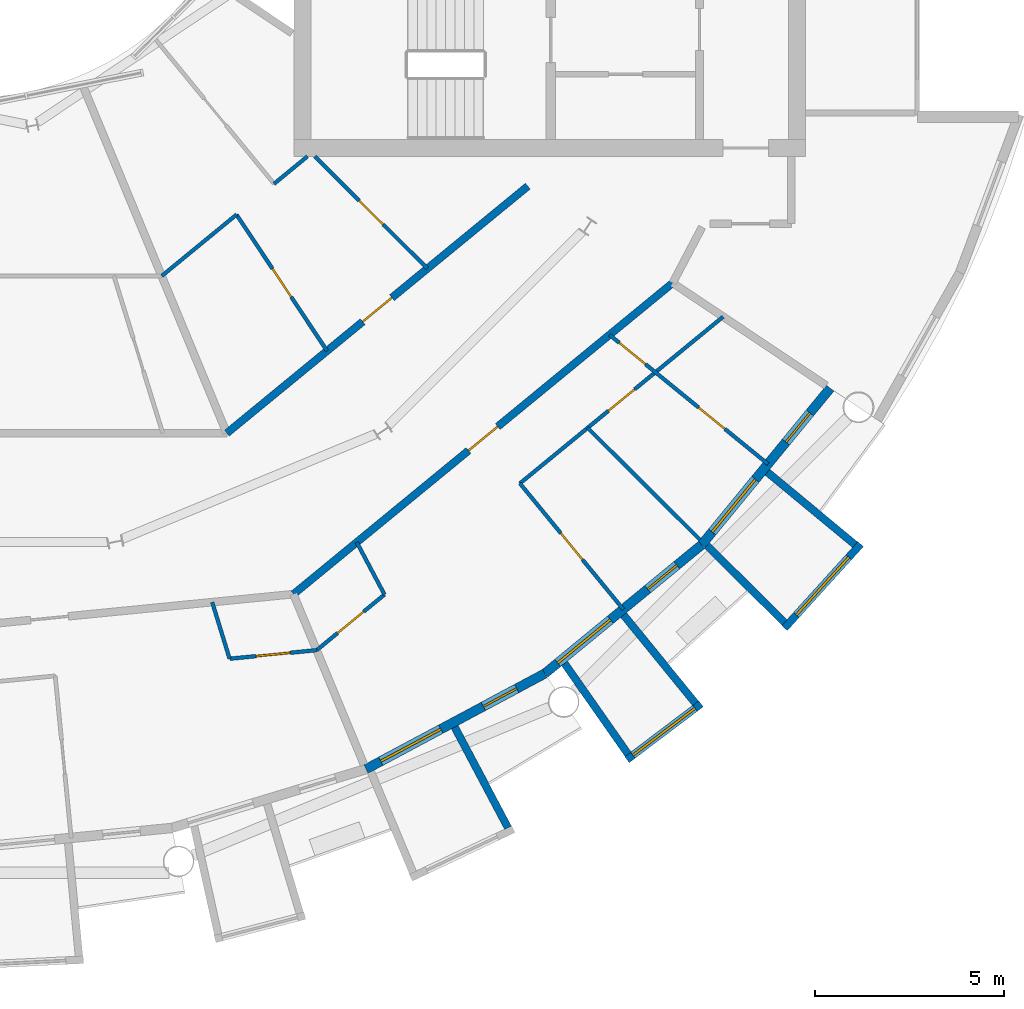
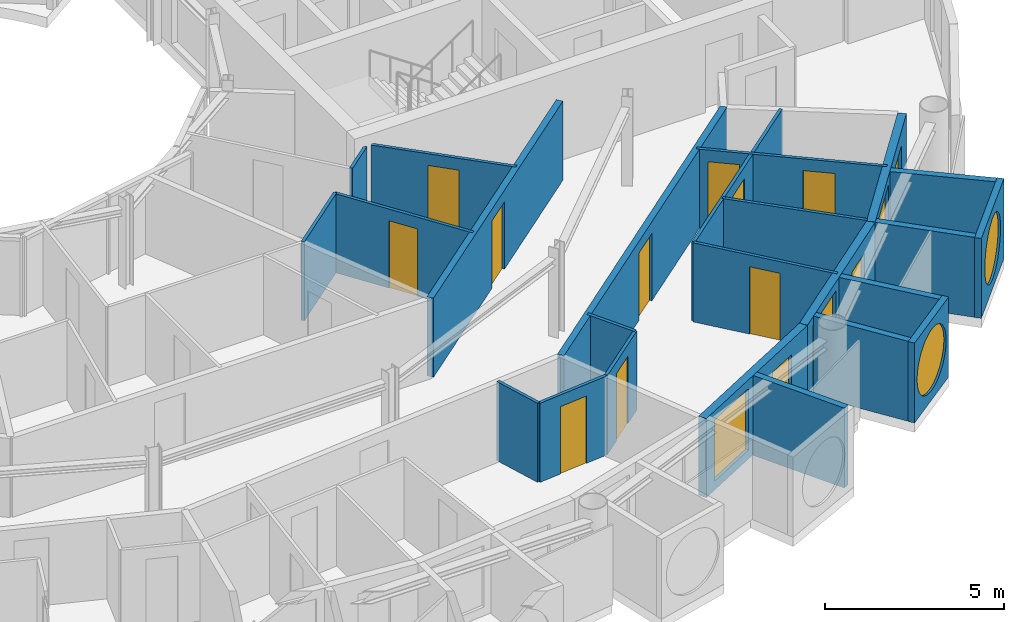
# One storey, part 18 of 29: 24 walls, 13 doors, 5 windows, 18 openings.
"""IFC4 building model written with IfcOpenShell, lengths in metres."""

from ifc_helpers import new_model, si_unit, direction, frame, frame_2d, origin, place, context, subcontext, project, spatial, rectangle, circle, extrude, material, layer, layer_set, type_object, element, fill, save


model = new_model("IFC4")

# Units and contexts
model_context = context("Model", 3, precision=1e-05, world=origin(), true_north=direction((0.0, 1.0)))
body_context = subcontext(model_context, "Body", "Model", "MODEL_VIEW")
ifc_project = project(units=[si_unit("LENGTHUNIT", "METRE"), si_unit("AREAUNIT", "SQUARE_METRE"), si_unit("VOLUMEUNIT", "CUBIC_METRE"), si_unit("PLANEANGLEUNIT", "RADIAN"), si_unit("MASSUNIT", "GRAM", prefix="KILO")], contexts=[model_context])

# Site, building, storey
site_placement = place(None, origin())
site = spatial("IfcSite", under=ifc_project, at=site_placement, CompositionType="ELEMENT")
building_placement = place(site_placement, origin())
building = spatial("IfcBuilding", under=site, at=building_placement, Name="Maasbend Ring Residences", CompositionType="ELEMENT")
storey_placement = place(building_placement, frame((0.0, 0.0, 202.39990234375)))
storey = spatial("IfcBuildingStorey", under=building, at=storey_placement, Name="L58", CompositionType="ELEMENT", Elevation=202.39990234375)

# Wall, opening, door
ifc_material_1 = material(Name="Concrete C30/37", Category="concrete")
ifc_layer_1 = layer(ifc_material_1, 0.199951171875)
ifc_layer_set_1 = layer_set([ifc_layer_1], Name="Concrete C30/37")
wall_type_1 = type_object("IfcWallType", Name="CORRIDOR WALL 200 CONCRETE", PredefinedType="PARTITIONING", material=ifc_layer_set_1)
wall_1_placement = place(storey_placement, frame((8.533935546875, -20.60302734375, 0.0), z_axis=(0.0, 0.0, 1.0), x_axis=(0.772983503654, 0.634426121056, 0.0)))
wall_1 = element("IfcWall", 1, at=wall_1_placement, inside=storey, type_object=wall_type_1, Name="U-L58-w016", PredefinedType="PARTITIONING", context=body_context, shape_type="SweptSolid", body=[
    extrude(rectangle(XDim=12.947265625, YDim=0.199951171875, at=frame_2d((6.4736328125, 0.0))), origin(), (0.0, 0.0, 1.0), 2.7001953125),
])
opening_1_placement = place(wall_1_placement, frame((5.97412109375, 0.0, 0.0)))
opening_1 = element("IfcOpeningElement", 2, at=opening_1_placement, cuts=wall_1, Name="Opening D-5849", PredefinedType="OPENING", context=body_context, shape_type="SweptSolid", body=[
    extrude(rectangle(XDim=1.0, YDim=2.300048828125, at=frame_2d((0.5, 1.14990234375))), frame((0.0, 0.10986328125, 0.0), z_axis=(0.0, -1.0, 0.0), x_axis=(1.0, 0.0, 0.0)), (0.0, 0.0, 1.0), 0.219970703125),
])
ifc_material_2 = material(Name="Timber, fire-rated, painted", Category="wood")
door_type_1 = type_object("IfcDoorType", Name="FLAT ENTRANCE DOOR 1000 X 2300 FIRE-RATED", OperationType="NOTDEFINED", PredefinedType="DOOR", material=ifc_material_2)
door_1_placement = place(opening_1_placement, origin())
door_1 = element("IfcDoor", 3, at=door_1_placement, inside=storey, type_object=door_type_1, Name="D-5849", OperationType="SINGLE_SWING_LEFT", OverallHeight=2.300048828125, OverallWidth=1.0, PredefinedType="DOOR", context=body_context, shape_type="SweptSolid", body=[
    extrude(rectangle(XDim=1.0, YDim=2.300048828125, at=frame_2d((0.5, 1.14990234375))), frame((0.0, 0.02490234375, 0.0), z_axis=(0.0, -1.0, 0.0), x_axis=(1.0, 0.0, 0.0)), (0.0, 0.0, 1.0), 0.050048828125),
])
fill(opening_1, door_1)

wall_2_placement = place(storey_placement, frame((6.77294921875, -16.35302734375, 0.0), z_axis=(0.0, 0.0, 1.0), x_axis=(0.773034536097, 0.634363938131, 0.0)))
wall_2 = element("IfcWall", 4, at=wall_2_placement, inside=storey, type_object=wall_type_1, Name="U-L58-w018", PredefinedType="PARTITIONING", context=body_context, shape_type="SweptSolid", body=[
    extrude(rectangle(XDim=10.276611328125, YDim=0.199951171875, at=frame_2d((5.13818359375, 0.0))), origin(), (0.0, 0.0, 1.0), 2.7001953125),
])
opening_2_placement = place(wall_2_placement, frame((4.637939453125, 0.0, 0.0)))
opening_2 = element("IfcOpeningElement", 5, at=opening_2_placement, cuts=wall_2, Name="Opening D-5864", PredefinedType="OPENING", context=body_context, shape_type="SweptSolid", body=[
    extrude(rectangle(XDim=1.0, YDim=2.300048828125, at=frame_2d((0.5, 1.14990234375))), frame((0.0, 0.10986328125, 0.0), z_axis=(0.0, -1.0, 0.0), x_axis=(1.0, 0.0, 0.0)), (0.0, 0.0, 1.0), 0.219970703125),
])
door_2_placement = place(opening_2_placement, origin())
door_2 = element("IfcDoor", 6, at=door_2_placement, inside=storey, type_object=door_type_1, Name="D-5864", OperationType="SINGLE_SWING_RIGHT", OverallHeight=2.300048828125, OverallWidth=1.0, PredefinedType="DOOR", context=body_context, shape_type="SweptSolid", body=[
    extrude(rectangle(XDim=1.0, YDim=2.300048828125, at=frame_2d((0.5, 1.14990234375))), frame((0.0, 0.02490234375, 0.0), z_axis=(0.0, -1.0, 0.0), x_axis=(1.0, 0.0, 0.0)), (0.0, 0.0, 1.0), 0.050048828125),
])
fill(opening_2, door_2)

# Wall
ifc_material_3 = material(Name="Pale anodised aluminium panel", Category="aluminium")
ifc_layer_2 = layer(ifc_material_3, 0.199951171875)
ifc_layer_set_2 = layer_set([ifc_layer_2], Name="EW-BOX")
wall_type_2 = type_object("IfcWallType", Name="EW-BOX", PredefinedType="SOLIDWALL", material=ifc_layer_set_2)
wall_3_placement = place(storey_placement, frame((12.787109375, -24.113037109375, -0.02978515625), z_axis=(0.0, 0.0, 1.0), x_axis=(0.468365282436, -0.883534924159, 0.0)))
element("IfcWall", 7, at=wall_3_placement, inside=storey, type_object=wall_type_2, Name="Box side wall S15 right", PredefinedType="SOLIDWALL", context=body_context, shape_type="SweptSolid", body=[
    extrude(rectangle(XDim=3.006103515625, YDim=0.199951171875, at=frame_2d((1.5029296875, 0.0))), origin(), (0.0, 0.0, 1.0), 2.72998046875),
])

# Wall, opening, window
wall_4_placement = place(storey_placement, frame((17.3369140625, -24.971923828125, -0.02978515625), z_axis=(0.0, 0.0, 1.0), x_axis=(0.797887588059, 0.602806268067, 0.0)))
wall_4 = element("IfcWall", 8, at=wall_4_placement, inside=storey, type_object=wall_type_2, Name="Box front S17", PredefinedType="SOLIDWALL", context=body_context, shape_type="SweptSolid", body=[
    extrude(rectangle(XDim=2.446533203125, YDim=0.199951171875, at=frame_2d((1.22314453125, 0.0))), origin(), (0.0, 0.0, 1.0), 2.72998046875),
])
opening_3_placement = place(wall_4_placement, frame((0.182861328125, 0.0, 0.330078125)))
opening_3 = element("IfcOpeningElement", 9, at=opening_3_placement, cuts=wall_4, Name="Opening W-RD", PredefinedType="OPENING", context=body_context, shape_type="SweptSolid", body=[
    extrude(circle(Radius=1.0400390625, at=frame_2d((1.0400390625, 1.0400390625))), frame((0.0, 0.10986328125, 0.0), z_axis=(0.0, -1.0, 0.0), x_axis=(1.0, 0.0, 0.0)), (0.0, 0.0, 1.0), 0.219970703125),
])
ifc_material_4 = material(Name="Aluminium and clear glass", Category="aluminium")
window_type_1 = type_object("IfcWindowType", Name="W-RD", PartitioningType="SINGLE_PANEL", PredefinedType="WINDOW", material=ifc_material_4)
window_1_placement = place(opening_3_placement, origin())
window_1 = element("IfcWindow", 10, at=window_1_placement, inside=storey, type_object=window_type_1, Name="Round window S17", OverallHeight=2.080078125, OverallWidth=2.080078125, PartitioningType="SINGLE_PANEL", PredefinedType="WINDOW", context=body_context, shape_type="SweptSolid", body=[
    extrude(circle(Radius=1.0400390625, at=frame_2d((1.0400390625, 1.0400390625))), frame((0.0, 0.030029296875, 0.0), z_axis=(0.0, -1.0, 0.0), x_axis=(1.0, 0.0, 0.0)), (0.0, 0.0, 1.0), 0.06005859375),
])
fill(opening_3, window_1)

# Walls
wall_5_placement = place(storey_placement, frame((15.68798828125, -22.43310546875, -0.02978515625), z_axis=(0.0, 0.0, 1.0), x_axis=(0.573260687834, -0.819373043115, 0.0)))
element("IfcWall", 11, at=wall_5_placement, inside=storey, type_object=wall_type_2, Name="Box side wall S17 left", PredefinedType="SOLIDWALL", context=body_context, shape_type="SweptSolid", body=[
    extrude(rectangle(XDim=2.92529296875, YDim=0.199951171875, at=frame_2d((1.462646484375, 0.0))), origin(), (0.0, 0.0, 1.0), 2.72998046875),
])
wall_6_placement = place(storey_placement, frame((17.24609375, -21.155029296875, -0.02978515625), z_axis=(0.0, 0.0, 1.0), x_axis=(0.631741648902, -0.775179004516, 0.0)))
element("IfcWall", 12, at=wall_6_placement, inside=storey, type_object=wall_type_2, Name="Box side wall S17 right", PredefinedType="SOLIDWALL", context=body_context, shape_type="SweptSolid", body=[
    extrude(rectangle(XDim=3.005859375, YDim=0.199951171875, at=frame_2d((1.5029296875, 0.0))), origin(), (0.0, 0.0, 1.0), 2.72998046875),
])

# Wall, opening, window
wall_7_placement = place(storey_placement, frame((21.492919921875, -21.5, -0.02978515625), z_axis=(0.0, 0.0, 1.0), x_axis=(0.671506829416, 0.740998365753, 0.0)))
wall_7 = element("IfcWall", 13, at=wall_7_placement, inside=storey, type_object=wall_type_2, Name="Box front S19", PredefinedType="SOLIDWALL", context=body_context, shape_type="SweptSolid", body=[
    extrude(rectangle(XDim=2.9931640625, YDim=0.199951171875, at=frame_2d((1.49658203125, 0.0))), origin(), (0.0, 0.0, 1.0), 2.72998046875),
])
opening_4_placement = place(wall_7_placement, frame((0.45654296875, 0.0, 0.330078125)))
opening_4 = element("IfcOpeningElement", 14, at=opening_4_placement, cuts=wall_7, Name="Opening W-RD", PredefinedType="OPENING", context=body_context, shape_type="SweptSolid", body=[
    extrude(circle(Radius=1.0400390625, at=frame_2d((1.0400390625, 1.0400390625))), frame((0.0, 0.10986328125, 0.0), z_axis=(0.0, -1.0, 0.0), x_axis=(1.0, 0.0, 0.0)), (0.0, 0.0, 1.0), 0.219970703125),
])
window_2_placement = place(opening_4_placement, origin())
window_2 = element("IfcWindow", 15, at=window_2_placement, inside=storey, type_object=window_type_1, Name="Round window S19", OverallHeight=2.080078125, OverallWidth=2.080078125, PartitioningType="SINGLE_PANEL", PredefinedType="WINDOW", context=body_context, shape_type="SweptSolid", body=[
    extrude(circle(Radius=1.0400390625, at=frame_2d((1.0400390625, 1.0400390625))), frame((0.0, 0.030029296875, 0.0), z_axis=(0.0, -1.0, 0.0), x_axis=(1.0, 0.0, 0.0)), (0.0, 0.0, 1.0), 0.06005859375),
])
fill(opening_4, window_2)

# Walls
wall_8_placement = place(storey_placement, frame((19.449951171875, -19.322998046875, -0.02978515625), z_axis=(0.0, 0.0, 1.0), x_axis=(0.709727076896, -0.704476739375, 0.0)))
element("IfcWall", 16, at=wall_8_placement, inside=storey, type_object=wall_type_2, Name="Box side wall S19 left", PredefinedType="SOLIDWALL", context=body_context, shape_type="SweptSolid", body=[
    extrude(rectangle(XDim=2.883056640625, YDim=0.199951171875, at=frame_2d((1.44140625, 0.0))), origin(), (0.0, 0.0, 1.0), 2.72998046875),
])
wall_9_placement = place(storey_placement, frame((21.041015625, -17.384033203125, -0.02978515625), z_axis=(0.0, 0.0, 1.0), x_axis=(0.770784861449, -0.63709551667, 0.0)))
element("IfcWall", 17, at=wall_9_placement, inside=storey, type_object=wall_type_2, Name="Box side wall S19 right", PredefinedType="SOLIDWALL", context=body_context, shape_type="SweptSolid", body=[
    extrude(rectangle(XDim=3.005859375, YDim=0.199951171875, at=frame_2d((1.5029296875, 0.0))), origin(), (0.0, 0.0, 1.0), 2.72998046875),
])

# Wall, openings, door, window
ifc_material_5 = material(Name="Aluminium clad insulated panel", Category="aluminium")
ifc_layer_3 = layer(ifc_material_5, 0.25)
ifc_layer_set_3 = layer_set([ifc_layer_3], Name="EW-GL")
wall_type_3 = type_object("IfcWallType", Name="EW-GL", PredefinedType="SOLIDWALL", material=ifc_layer_set_3)
wall_10_placement = place(storey_placement, frame((10.447021484375, -25.221923828125, 0.0), z_axis=(0.0, 0.0, 1.0), x_axis=(0.881915646801, 0.471407246368, 0.0)))
wall_10 = element("IfcWall", 18, at=wall_10_placement, inside=storey, type_object=wall_type_3, Name="External wall S08", PredefinedType="SOLIDWALL", context=body_context, shape_type="SweptSolid", body=[
    extrude(rectangle(XDim=5.35205078125, YDim=0.25, at=frame_2d((2.676025390625, 0.0))), origin(), (0.0, 0.0, 1.0), 2.7001953125),
])
opening_5_placement = place(wall_10_placement, frame((0.441162109375, 0.0, 0.300048828125)))
opening_5 = element("IfcOpeningElement", 19, at=opening_5_placement, cuts=wall_10, Name="Opening W-BX", PredefinedType="OPENING", context=body_context, shape_type="SweptSolid", body=[
    extrude(rectangle(XDim=1.800048828125, YDim=2.10009765625, at=frame_2d((0.89990234375, 1.050048828125))), frame((0.0, 0.135009765625, 0.0), z_axis=(0.0, -1.0, 0.0), x_axis=(1.0, 0.0, 0.0)), (0.0, 0.0, 1.0), 0.27001953125),
])
opening_6_placement = place(wall_10_placement, frame((3.510498046875, 0.0, 0.0)))
opening_6 = element("IfcOpeningElement", 20, at=opening_6_placement, cuts=wall_10, Name="Opening D-LG", PredefinedType="OPENING", context=body_context, shape_type="SweptSolid", body=[
    extrude(rectangle(XDim=1.0, YDim=2.199951171875, at=frame_2d((0.5, 1.10009765625))), frame((0.0, 0.135009765625, 0.0), z_axis=(0.0, -1.0, 0.0), x_axis=(1.0, 0.0, 0.0)), (0.0, 0.0, 1.0), 0.27001953125),
])
ifc_material_6 = material(Name="Aluminium and clear glass", Category="aluminium")
door_type_2 = type_object("IfcDoorType", Name="D-LG", OperationType="SINGLE_SWING_LEFT", PredefinedType="DOOR", material=ifc_material_6)
door_3_placement = place(opening_6_placement, origin())
door_3 = element("IfcDoor", 21, at=door_3_placement, inside=storey, type_object=door_type_2, Name="Loggia door S16", OperationType="SINGLE_SWING_LEFT", OverallHeight=2.199951171875, OverallWidth=1.0, PredefinedType="DOOR", context=body_context, shape_type="SweptSolid", body=[
    extrude(rectangle(XDim=1.0, YDim=2.199951171875, at=frame_2d((0.5, 1.10009765625))), frame((0.0, 0.02490234375, 0.0), z_axis=(0.0, -1.0, 0.0), x_axis=(1.0, 0.0, 0.0)), (0.0, 0.0, 1.0), 0.050048828125),
])
fill(opening_6, door_3)
ifc_material_7 = material(Name="Aluminium and clear glass", Category="aluminium")
window_type_2 = type_object("IfcWindowType", Name="W-BX", PartitioningType="DOUBLE_PANEL_VERTICAL", PredefinedType="WINDOW", material=ifc_material_7)
window_3_placement = place(opening_5_placement, origin())
window_3 = element("IfcWindow", 22, at=window_3_placement, inside=storey, type_object=window_type_2, Name="Window S15 room to box", OverallHeight=2.10009765625, OverallWidth=1.800048828125, PartitioningType="SINGLE_PANEL", PredefinedType="WINDOW", context=body_context, shape_type="SweptSolid", body=[
    extrude(rectangle(XDim=1.800048828125, YDim=2.10009765625, at=frame_2d((0.89990234375, 1.050048828125))), frame((0.0, 0.030029296875, 0.0), z_axis=(0.0, -1.0, 0.0), x_axis=(1.0, 0.0, 0.0)), (0.0, 0.0, 1.0), 0.06005859375),
])
fill(opening_5, window_3)

wall_11_placement = place(storey_placement, frame((15.1669921875, -22.698974609375, 0.0), z_axis=(0.0, 0.0, 1.0), x_axis=(0.773019449054, 0.634382322723, 0.0)))
wall_11 = element("IfcWall", 23, at=wall_11_placement, inside=storey, type_object=wall_type_3, Name="External wall S09", PredefinedType="SOLIDWALL", context=body_context, shape_type="SweptSolid", body=[
    extrude(rectangle(XDim=5.351806640625, YDim=0.25, at=frame_2d((2.67578125, 0.0))), origin(), (0.0, 0.0, 1.0), 2.7001953125),
])
opening_7_placement = place(wall_11_placement, frame((0.441162109375, 0.0, 0.300048828125)))
opening_7 = element("IfcOpeningElement", 24, at=opening_7_placement, cuts=wall_11, Name="Opening W-BX", PredefinedType="OPENING", context=body_context, shape_type="SweptSolid", body=[
    extrude(rectangle(XDim=1.800048828125, YDim=2.10009765625, at=frame_2d((0.89990234375, 1.050048828125))), frame((0.0, 0.135009765625, 0.0), z_axis=(0.0, -1.0, 0.0), x_axis=(1.0, 0.0, 0.0)), (0.0, 0.0, 1.0), 0.27001953125),
])
opening_8_placement = place(wall_11_placement, frame((3.510498046875, 0.0, 0.0)))
opening_8 = element("IfcOpeningElement", 25, at=opening_8_placement, cuts=wall_11, Name="Opening D-LG", PredefinedType="OPENING", context=body_context, shape_type="SweptSolid", body=[
    extrude(rectangle(XDim=1.0, YDim=2.199951171875, at=frame_2d((0.5, 1.10009765625))), frame((0.0, 0.135009765625, 0.0), z_axis=(0.0, -1.0, 0.0), x_axis=(1.0, 0.0, 0.0)), (0.0, 0.0, 1.0), 0.27001953125),
])
door_4_placement = place(opening_8_placement, origin())
door_4 = element("IfcDoor", 26, at=door_4_placement, inside=storey, type_object=door_type_2, Name="Loggia door S18", OperationType="SINGLE_SWING_LEFT", OverallHeight=2.199951171875, OverallWidth=1.0, PredefinedType="DOOR", context=body_context, shape_type="SweptSolid", body=[
    extrude(rectangle(XDim=1.0, YDim=2.199951171875, at=frame_2d((0.5, 1.10009765625))), frame((0.0, 0.02490234375, 0.0), z_axis=(0.0, -1.0, 0.0), x_axis=(1.0, 0.0, 0.0)), (0.0, 0.0, 1.0), 0.050048828125),
])
fill(opening_8, door_4)
window_4_placement = place(opening_7_placement, origin())
window_4 = element("IfcWindow", 27, at=window_4_placement, inside=storey, type_object=window_type_2, Name="Window S17 room to box", OverallHeight=2.10009765625, OverallWidth=1.800048828125, PartitioningType="SINGLE_PANEL", PredefinedType="WINDOW", context=body_context, shape_type="SweptSolid", body=[
    extrude(rectangle(XDim=1.800048828125, YDim=2.10009765625, at=frame_2d((0.89990234375, 1.050048828125))), frame((0.0, 0.030029296875, 0.0), z_axis=(0.0, -1.0, 0.0), x_axis=(1.0, 0.0, 0.0)), (0.0, 0.0, 1.0), 0.06005859375),
])
fill(opening_7, window_4)

wall_12_placement = place(storey_placement, frame((19.303955078125, -19.303955078125, 0.0), z_axis=(0.0, 0.0, 1.0), x_axis=(0.634382322723, 0.773019449054, 0.0)))
wall_12 = element("IfcWall", 28, at=wall_12_placement, inside=storey, type_object=wall_type_3, Name="External wall S10", PredefinedType="SOLIDWALL", context=body_context, shape_type="SweptSolid", body=[
    extrude(rectangle(XDim=5.351806640625, YDim=0.25, at=frame_2d((2.67578125, 0.0))), origin(), (0.0, 0.0, 1.0), 2.7001953125),
])
opening_9_placement = place(wall_12_placement, frame((0.441162109375, 0.0, 0.300048828125)))
opening_9 = element("IfcOpeningElement", 29, at=opening_9_placement, cuts=wall_12, Name="Opening W-BX", PredefinedType="OPENING", context=body_context, shape_type="SweptSolid", body=[
    extrude(rectangle(XDim=1.800048828125, YDim=2.10009765625, at=frame_2d((0.89990234375, 1.050048828125))), frame((0.0, 0.135009765625, 0.0), z_axis=(0.0, -1.0, 0.0), x_axis=(1.0, 0.0, 0.0)), (0.0, 0.0, 1.0), 0.27001953125),
])
opening_10_placement = place(wall_12_placement, frame((3.510498046875, 0.0, 0.0)))
opening_10 = element("IfcOpeningElement", 30, at=opening_10_placement, cuts=wall_12, Name="Opening D-LG", PredefinedType="OPENING", context=body_context, shape_type="SweptSolid", body=[
    extrude(rectangle(XDim=1.0, YDim=2.199951171875, at=frame_2d((0.5, 1.10009765625))), frame((0.0, 0.135009765625, 0.0), z_axis=(0.0, -1.0, 0.0), x_axis=(1.0, 0.0, 0.0)), (0.0, 0.0, 1.0), 0.27001953125),
])
door_5_placement = place(opening_10_placement, origin())
door_5 = element("IfcDoor", 31, at=door_5_placement, inside=storey, type_object=door_type_2, Name="Loggia door S20", OperationType="SINGLE_SWING_LEFT", OverallHeight=2.199951171875, OverallWidth=1.0, PredefinedType="DOOR", context=body_context, shape_type="SweptSolid", body=[
    extrude(rectangle(XDim=1.0, YDim=2.199951171875, at=frame_2d((0.5, 1.10009765625))), frame((0.0, 0.02490234375, 0.0), z_axis=(0.0, -1.0, 0.0), x_axis=(1.0, 0.0, 0.0)), (0.0, 0.0, 1.0), 0.050048828125),
])
fill(opening_10, door_5)
window_5_placement = place(opening_9_placement, origin())
window_5 = element("IfcWindow", 32, at=window_5_placement, inside=storey, type_object=window_type_2, Name="Window S19 room to box", OverallHeight=2.10009765625, OverallWidth=1.800048828125, PartitioningType="SINGLE_PANEL", PredefinedType="WINDOW", context=body_context, shape_type="SweptSolid", body=[
    extrude(rectangle(XDim=1.800048828125, YDim=2.10009765625, at=frame_2d((0.89990234375, 1.050048828125))), frame((0.0, 0.030029296875, 0.0), z_axis=(0.0, -1.0, 0.0), x_axis=(1.0, 0.0, 0.0)), (0.0, 0.0, 1.0), 0.06005859375),
])
fill(opening_9, window_5)

# Wall, opening, door
ifc_material_8 = material(Name="Gypsum board on steel studs", Category="steel")
ifc_layer_4 = layer(ifc_material_8, 0.10009765625)
ifc_layer_set_4 = layer_set([ifc_layer_4], Name="PARTITION 100 GYPSUM")
wall_type_4 = type_object("IfcWallType", Name="PARTITION 100 GYPSUM", PredefinedType="PARTITIONING", material=ifc_layer_set_4)
wall_13_placement = place(storey_placement, frame((6.85009765625, -22.30810546875, 0.0), z_axis=(0.0, 0.0, 1.0), x_axis=(0.995161915602, 0.098248469375, 0.0)))
wall_13 = element("IfcWall", 33, at=wall_13_placement, inside=storey, type_object=wall_type_4, Name="U-L58-w006", PredefinedType="PARTITIONING", context=body_context, shape_type="SweptSolid", body=[
    extrude(rectangle(XDim=2.31103515625, YDim=0.10009765625, at=frame_2d((1.155517578125, 0.0))), origin(), (0.0, 0.0, 1.0), 2.7001953125),
])
opening_11_placement = place(wall_13_placement, frame((0.700927734375, 0.0, 0.0)))
opening_11 = element("IfcOpeningElement", 34, at=opening_11_placement, cuts=wall_13, Name="Opening D-5844", PredefinedType="OPENING", context=body_context, shape_type="SweptSolid", body=[
    extrude(rectangle(XDim=0.89990234375, YDim=2.300048828125, at=frame_2d((0.449951171875, 1.14990234375))), frame((0.0, 0.06005859375, 0.0), z_axis=(0.0, -1.0, 0.0), x_axis=(1.0, 0.0, 0.0)), (0.0, 0.0, 1.0), 0.1201171875),
])
ifc_material_9 = material(Name="Timber, painted", Category="wood")
door_type_3 = type_object("IfcDoorType", Name="INTERNAL DOOR 900 X 2300", OperationType="NOTDEFINED", PredefinedType="DOOR", material=ifc_material_9)
door_6_placement = place(opening_11_placement, origin())
door_6 = element("IfcDoor", 35, at=door_6_placement, inside=storey, type_object=door_type_3, Name="D-5844", OperationType="SINGLE_SWING_LEFT", OverallHeight=2.300048828125, OverallWidth=0.89990234375, PredefinedType="DOOR", context=body_context, shape_type="SweptSolid", body=[
    extrude(rectangle(XDim=0.89990234375, YDim=2.300048828125, at=frame_2d((0.449951171875, 1.14990234375))), frame((0.0, 0.02490234375, 0.0), z_axis=(0.0, -1.0, 0.0), x_axis=(1.0, 0.0, 0.0)), (0.0, 0.0, 1.0), 0.050048828125),
])
fill(opening_11, door_6)

wall_14_placement = place(storey_placement, frame((9.14599609375, -22.0810546875, 0.0), z_axis=(0.0, 0.0, 1.0), x_axis=(0.773095932958, 0.634289112663, 0.0)))
wall_14 = element("IfcWall", 36, at=wall_14_placement, inside=storey, type_object=wall_type_4, Name="U-L58-w007", PredefinedType="PARTITIONING", context=body_context, shape_type="SweptSolid", body=[
    extrude(rectangle(XDim=2.31298828125, YDim=0.10009765625, at=frame_2d((1.156494140625, 0.0))), origin(), (0.0, 0.0, 1.0), 2.7001953125),
])
opening_12_placement = place(wall_14_placement, frame((0.7060546875, 0.0, 0.0)))
opening_12 = element("IfcOpeningElement", 37, at=opening_12_placement, cuts=wall_14, Name="Opening D-5850", PredefinedType="OPENING", context=body_context, shape_type="SweptSolid", body=[
    extrude(rectangle(XDim=0.89990234375, YDim=2.300048828125, at=frame_2d((0.449951171875, 1.14990234375))), frame((0.0, 0.06005859375, 0.0), z_axis=(0.0, -1.0, 0.0), x_axis=(1.0, 0.0, 0.0)), (0.0, 0.0, 1.0), 0.1201171875),
])
door_7_placement = place(opening_12_placement, origin())
door_7 = element("IfcDoor", 38, at=door_7_placement, inside=storey, type_object=door_type_3, Name="D-5850", OperationType="SINGLE_SWING_LEFT", OverallHeight=2.300048828125, OverallWidth=0.89990234375, PredefinedType="DOOR", context=body_context, shape_type="SweptSolid", body=[
    extrude(rectangle(XDim=0.89990234375, YDim=2.300048828125, at=frame_2d((0.449951171875, 1.14990234375))), frame((0.0, 0.02490234375, 0.0), z_axis=(0.0, -1.0, 0.0), x_axis=(1.0, 0.0, 0.0)), (0.0, 0.0, 1.0), 0.050048828125),
])
fill(opening_12, door_7)

wall_15_placement = place(storey_placement, frame((14.507080078125, -17.681884765625, 0.0), z_axis=(0.0, 0.0, 1.0), x_axis=(0.773143248755, 0.634231437966, 0.0)))
wall_15 = element("IfcWall", 39, at=wall_15_placement, inside=storey, type_object=wall_type_4, Name="U-L58-w008", PredefinedType="PARTITIONING", context=body_context, shape_type="SweptSolid", body=[
    extrude(rectangle(XDim=6.9404296875, YDim=0.10009765625, at=frame_2d((3.47021484375, 0.0))), origin(), (0.0, 0.0, 1.0), 2.7001953125),
])
opening_13_placement = place(wall_15_placement, frame((3.02099609375, 0.0, 0.0)))
opening_13 = element("IfcOpeningElement", 40, at=opening_13_placement, cuts=wall_15, Name="Opening D-5853", PredefinedType="OPENING", context=body_context, shape_type="SweptSolid", body=[
    extrude(rectangle(XDim=0.89990234375, YDim=2.300048828125, at=frame_2d((0.449951171875, 1.14990234375))), frame((0.0, 0.06005859375, 0.0), z_axis=(0.0, -1.0, 0.0), x_axis=(1.0, 0.0, 0.0)), (0.0, 0.0, 1.0), 0.1201171875),
])
door_8_placement = place(opening_13_placement, origin())
door_8 = element("IfcDoor", 41, at=door_8_placement, inside=storey, type_object=door_type_3, Name="D-5853", OperationType="SINGLE_SWING_RIGHT", OverallHeight=2.300048828125, OverallWidth=0.89990234375, PredefinedType="DOOR", context=body_context, shape_type="SweptSolid", body=[
    extrude(rectangle(XDim=0.89990234375, YDim=2.300048828125, at=frame_2d((0.449951171875, 1.14990234375))), frame((0.0, 0.02490234375, 0.0), z_axis=(0.0, -1.0, 0.0), x_axis=(1.0, 0.0, 0.0)), (0.0, 0.0, 1.0), 0.050048828125),
])
fill(opening_13, door_8)

# Walls
wall_16_placement = place(storey_placement, frame((5.054931640625, -12.2041015625, 0.0), z_axis=(0.0, 0.0, 1.0), x_axis=(0.772943675046, 0.634474645046, 0.0)))
element("IfcWall", 42, at=wall_16_placement, inside=storey, type_object=wall_type_4, Name="U-L58-w022", PredefinedType="PARTITIONING", context=body_context, shape_type="SweptSolid", body=[
    extrude(rectangle(XDim=2.556640625, YDim=0.10009765625, at=frame_2d((1.2783203125, 0.0))), origin(), (0.0, 0.0, 1.0), 2.7001953125),
])
wall_17_placement = place(storey_placement, frame((8.01708984375, -9.77294921875, 0.0), z_axis=(0.0, 0.0, 1.0), x_axis=(0.772786083133, 0.634666581534, 0.0)))
element("IfcWall", 43, at=wall_17_placement, inside=storey, type_object=wall_type_4, Name="U-L58-w023", PredefinedType="PARTITIONING", context=body_context, shape_type="SweptSolid", body=[
    extrude(rectangle(XDim=1.1435546875, YDim=0.10009765625, at=frame_2d((0.57177734375, 0.0))), origin(), (0.0, 0.0, 1.0), 2.7001953125),
])
wall_18_placement = place(storey_placement, frame((6.385986328125, -20.81396484375, 0.0), z_axis=(0.0, 0.0, 1.0), x_axis=(0.293866159639, -0.955846577762, 0.0)))
element("IfcWall", 44, at=wall_18_placement, inside=storey, type_object=wall_type_4, Name="U-L58-w034", PredefinedType="PARTITIONING", context=body_context, shape_type="SweptSolid", body=[
    extrude(rectangle(XDim=1.561767578125, YDim=0.10009765625, at=frame_2d((0.78076171875, 0.0))), origin(), (0.0, 0.0, 1.0), 2.7001953125),
])

# Wall, opening, door
wall_19_placement = place(storey_placement, frame((7.028076171875, -10.583984375, 0.0), z_axis=(0.0, 0.0, 1.0), x_axis=(0.553303732327, -0.832979579457, 0.0)))
wall_19 = element("IfcWall", 45, at=wall_19_placement, inside=storey, type_object=wall_type_4, Name="U-L58-w075", PredefinedType="PARTITIONING", context=body_context, shape_type="SweptSolid", body=[
    extrude(rectangle(XDim=4.3193359375, YDim=0.10009765625, at=frame_2d((2.15966796875, 0.0))), origin(), (0.0, 0.0, 1.0), 2.7001953125),
])
opening_14_placement = place(wall_19_placement, frame((1.7099609375, 0.0, 0.0)))
opening_14 = element("IfcOpeningElement", 46, at=opening_14_placement, cuts=wall_19, Name="Opening D-5865", PredefinedType="OPENING", context=body_context, shape_type="SweptSolid", body=[
    extrude(rectangle(XDim=0.89990234375, YDim=2.300048828125, at=frame_2d((0.449951171875, 1.14990234375))), frame((0.0, 0.06005859375, 0.0), z_axis=(0.0, -1.0, 0.0), x_axis=(1.0, 0.0, 0.0)), (0.0, 0.0, 1.0), 0.1201171875),
])
door_9_placement = place(opening_14_placement, origin())
door_9 = element("IfcDoor", 47, at=door_9_placement, inside=storey, type_object=door_type_3, Name="D-5865", OperationType="SINGLE_SWING_LEFT", OverallHeight=2.300048828125, OverallWidth=0.89990234375, PredefinedType="DOOR", context=body_context, shape_type="SweptSolid", body=[
    extrude(rectangle(XDim=0.89990234375, YDim=2.300048828125, at=frame_2d((0.449951171875, 1.14990234375))), frame((0.0, 0.02490234375, 0.0), z_axis=(0.0, -1.0, 0.0), x_axis=(1.0, 0.0, 0.0)), (0.0, 0.0, 1.0), 0.050048828125),
])
fill(opening_14, door_9)

wall_20_placement = place(storey_placement, frame((9.095947265625, -9.051025390625, 0.0), z_axis=(0.0, 0.0, 1.0), x_axis=(0.708909651863, -0.705299302067, 0.0)))
wall_20 = element("IfcWall", 48, at=wall_20_placement, inside=storey, type_object=wall_type_4, Name="U-L58-w078", PredefinedType="PARTITIONING", context=body_context, shape_type="SweptSolid", body=[
    extrude(rectangle(XDim=4.192626953125, YDim=0.10009765625, at=frame_2d((2.09619140625, 0.0))), origin(), (0.0, 0.0, 1.0), 2.7001953125),
])
opening_15_placement = place(wall_20_placement, frame((1.64599609375, 0.0, 0.0)))
opening_15 = element("IfcOpeningElement", 49, at=opening_15_placement, cuts=wall_20, Name="Opening D-5866", PredefinedType="OPENING", context=body_context, shape_type="SweptSolid", body=[
    extrude(rectangle(XDim=0.89990234375, YDim=2.300048828125, at=frame_2d((0.449951171875, 1.14990234375))), frame((0.0, 0.06005859375, 0.0), z_axis=(0.0, -1.0, 0.0), x_axis=(1.0, 0.0, 0.0)), (0.0, 0.0, 1.0), 0.1201171875),
])
door_10_placement = place(opening_15_placement, origin())
door_10 = element("IfcDoor", 50, at=door_10_placement, inside=storey, type_object=door_type_3, Name="D-5866", OperationType="SINGLE_SWING_RIGHT", OverallHeight=2.300048828125, OverallWidth=0.89990234375, PredefinedType="DOOR", context=body_context, shape_type="SweptSolid", body=[
    extrude(rectangle(XDim=0.89990234375, YDim=2.300048828125, at=frame_2d((0.449951171875, 1.14990234375))), frame((0.0, 0.02490234375, 0.0), z_axis=(0.0, -1.0, 0.0), x_axis=(1.0, 0.0, 0.0)), (0.0, 0.0, 1.0), 0.050048828125),
])
fill(opening_15, door_10)

# Wall
wall_21_placement = place(storey_placement, frame((10.201904296875, -19.23388671875, 0.0), z_axis=(0.0, 0.0, 1.0), x_axis=(0.468648615763, -0.88338466986, 0.0)))
element("IfcWall", 51, at=wall_21_placement, inside=storey, type_object=wall_type_4, Name="U-L58-w079", PredefinedType="PARTITIONING", context=body_context, shape_type="SweptSolid", body=[
    extrude(rectangle(XDim=1.562255859375, YDim=0.10009765625, at=frame_2d((0.78125, 0.0))), origin(), (0.0, 0.0, 1.0), 2.7001953125),
])

# Wall, opening, door
wall_22_placement = place(storey_placement, frame((14.509033203125, -17.678955078125, 0.0), z_axis=(0.0, 0.0, 1.0), x_axis=(0.634342681687, -0.77305197897, 0.0)))
wall_22 = element("IfcWall", 52, at=wall_22_placement, inside=storey, type_object=wall_type_4, Name="U-L58-w083", PredefinedType="PARTITIONING", context=body_context, shape_type="SweptSolid", body=[
    extrude(rectangle(XDim=4.30517578125, YDim=0.10009765625, at=frame_2d((2.152587890625, 0.0))), origin(), (0.0, 0.0, 1.0), 2.7001953125),
])
opening_16_placement = place(wall_22_placement, frame((1.702880859375, 0.0, 0.0)))
opening_16 = element("IfcOpeningElement", 53, at=opening_16_placement, cuts=wall_22, Name="Opening D-5852", PredefinedType="OPENING", context=body_context, shape_type="SweptSolid", body=[
    extrude(rectangle(XDim=0.89990234375, YDim=2.300048828125, at=frame_2d((0.449951171875, 1.14990234375))), frame((0.0, 0.06005859375, 0.0), z_axis=(0.0, -1.0, 0.0), x_axis=(1.0, 0.0, 0.0)), (0.0, 0.0, 1.0), 0.1201171875),
])
door_11_placement = place(opening_16_placement, origin())
door_11 = element("IfcDoor", 54, at=door_11_placement, inside=storey, type_object=door_type_3, Name="D-5852", OperationType="SINGLE_SWING_RIGHT", OverallHeight=2.300048828125, OverallWidth=0.89990234375, PredefinedType="DOOR", context=body_context, shape_type="SweptSolid", body=[
    extrude(rectangle(XDim=0.89990234375, YDim=2.300048828125, at=frame_2d((0.449951171875, 1.14990234375))), frame((0.0, 0.02490234375, 0.0), z_axis=(0.0, -1.0, 0.0), x_axis=(1.0, 0.0, 0.0)), (0.0, 0.0, 1.0), 0.050048828125),
])
fill(opening_16, door_11)

# Wall
wall_23_placement = place(storey_placement, frame((16.294921875, -16.214111328125, 0.0), z_axis=(0.0, 0.0, 1.0), x_axis=(0.709028177231, -0.705180149956, 0.0)))
element("IfcWall", 55, at=wall_23_placement, inside=storey, type_object=wall_type_4, Name="U-L58-w084", PredefinedType="PARTITIONING", context=body_context, shape_type="SweptSolid", body=[
    extrude(rectangle(XDim=4.1875, YDim=0.10009765625, at=frame_2d((2.09375, 0.0))), origin(), (0.0, 0.0, 1.0), 2.7001953125),
])

# Wall, openings, doors
wall_24_placement = place(storey_placement, frame((16.8740234375, -13.758056640625, 0.0), z_axis=(0.0, 0.0, 1.0), x_axis=(0.774926754572, -0.632051046236, 0.0)))
wall_24 = element("IfcWall", 56, at=wall_24_placement, inside=storey, type_object=wall_type_4, Name="U-L58-w086", PredefinedType="PARTITIONING", context=body_context, shape_type="SweptSolid", body=[
    extrude(rectangle(XDim=5.403076171875, YDim=0.10009765625, at=frame_2d((2.70166015625, 0.0))), origin(), (0.0, 0.0, 1.0), 2.7001953125),
])
opening_17_placement = place(wall_24_placement, frame((0.3310546875, 0.0, 0.0)))
opening_17 = element("IfcOpeningElement", 57, at=opening_17_placement, cuts=wall_24, Name="Opening D-5851", PredefinedType="OPENING", context=body_context, shape_type="SweptSolid", body=[
    extrude(rectangle(XDim=0.89990234375, YDim=2.300048828125, at=frame_2d((0.449951171875, 1.14990234375))), frame((0.0, 0.06005859375, 0.0), z_axis=(0.0, -1.0, 0.0), x_axis=(1.0, 0.0, 0.0)), (0.0, 0.0, 1.0), 0.1201171875),
])
opening_18_placement = place(wall_24_placement, frame((3.031982421875, 0.0, 0.0)))
opening_18 = element("IfcOpeningElement", 58, at=opening_18_placement, cuts=wall_24, Name="Opening D-5854", PredefinedType="OPENING", context=body_context, shape_type="SweptSolid", body=[
    extrude(rectangle(XDim=0.89990234375, YDim=2.300048828125, at=frame_2d((0.449951171875, 1.14990234375))), frame((0.0, 0.06005859375, 0.0), z_axis=(0.0, -1.0, 0.0), x_axis=(1.0, 0.0, 0.0)), (0.0, 0.0, 1.0), 0.1201171875),
])
door_12_placement = place(opening_17_placement, origin())
door_12 = element("IfcDoor", 59, at=door_12_placement, inside=storey, type_object=door_type_3, Name="D-5851", OperationType="SINGLE_SWING_LEFT", OverallHeight=2.300048828125, OverallWidth=0.89990234375, PredefinedType="DOOR", context=body_context, shape_type="SweptSolid", body=[
    extrude(rectangle(XDim=0.89990234375, YDim=2.300048828125, at=frame_2d((0.449951171875, 1.14990234375))), frame((0.0, 0.02490234375, 0.0), z_axis=(0.0, -1.0, 0.0), x_axis=(1.0, 0.0, 0.0)), (0.0, 0.0, 1.0), 0.050048828125),
])
fill(opening_17, door_12)
door_13_placement = place(opening_18_placement, origin())
door_13 = element("IfcDoor", 60, at=door_13_placement, inside=storey, type_object=door_type_3, Name="D-5854", OperationType="SINGLE_SWING_RIGHT", OverallHeight=2.300048828125, OverallWidth=0.89990234375, PredefinedType="DOOR", context=body_context, shape_type="SweptSolid", body=[
    extrude(rectangle(XDim=0.89990234375, YDim=2.300048828125, at=frame_2d((0.449951171875, 1.14990234375))), frame((0.0, 0.02490234375, 0.0), z_axis=(0.0, -1.0, 0.0), x_axis=(1.0, 0.0, 0.0)), (0.0, 0.0, 1.0), 0.050048828125),
])
fill(opening_18, door_13)

save(model, "model.ifc")
